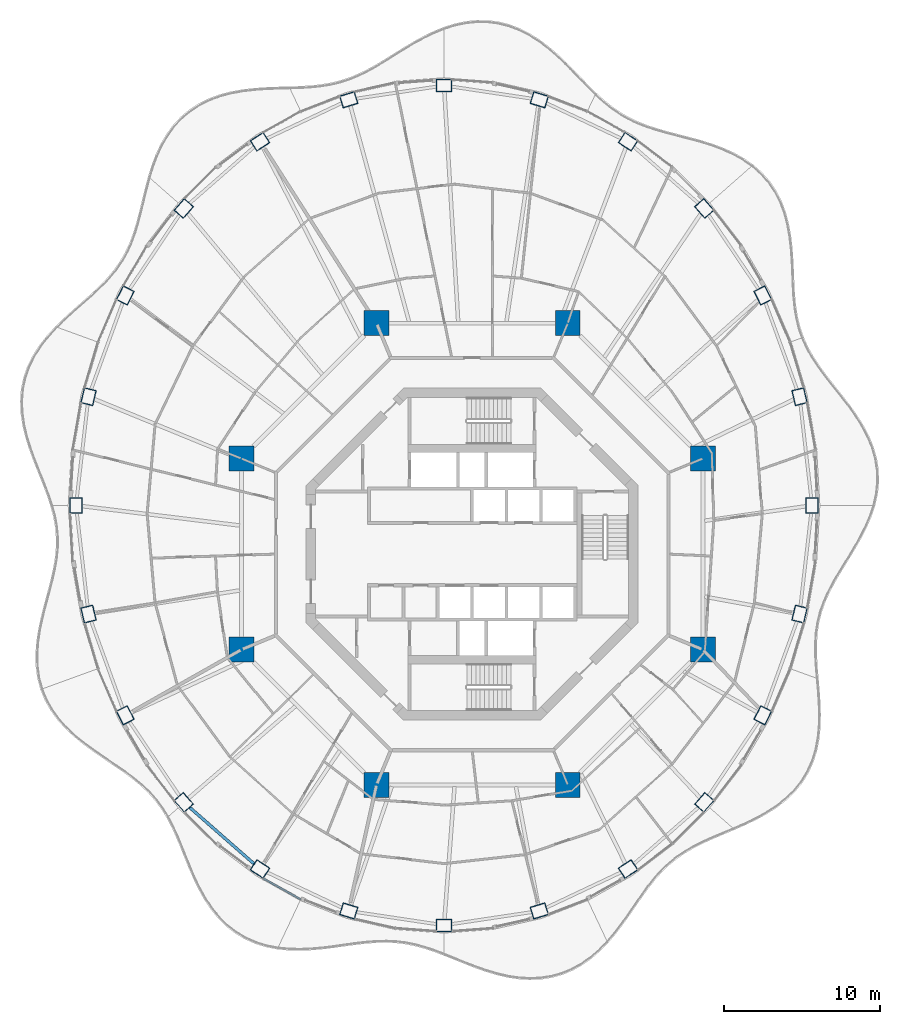
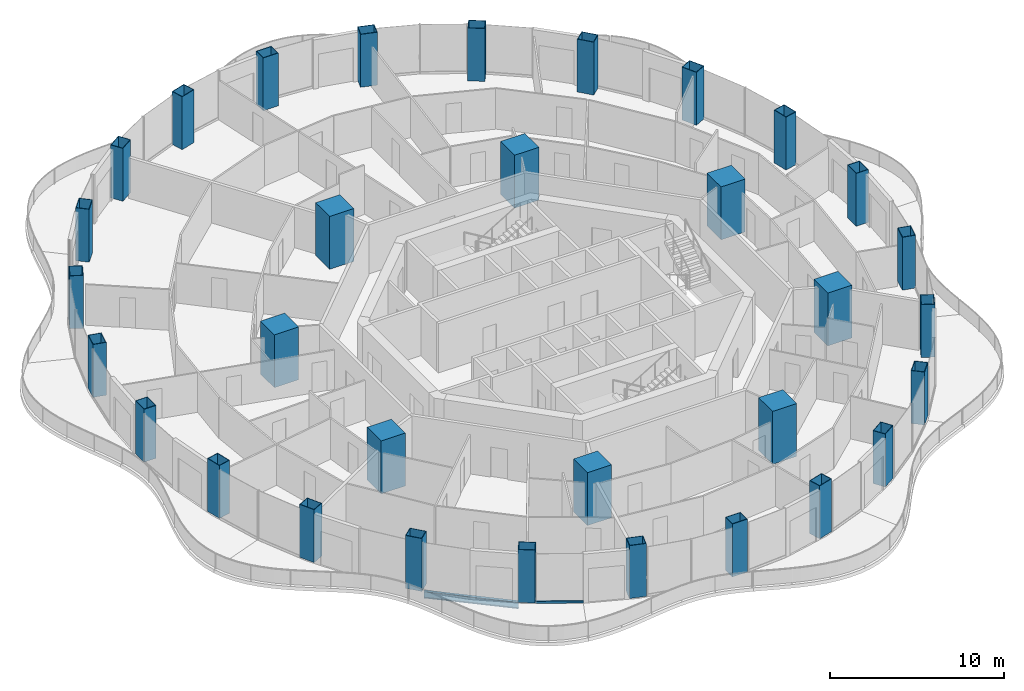
# One storey, part 1 of 18: 32 columns, 1 beam, 1 member, 1 element without a shape of its own.
"""IFC4 building model written with IfcOpenShell, lengths in metres."""

from ifc_helpers import new_model, si_unit, direction, frame, origin, origin_2d, place, context, subcontext, project, spatial, rectangle, hollow_rectangle, i_section, extrude, material, layer, layer_set, material_profile, profile_set, type_object, element, aggregate, save


model = new_model("IFC4")

# Units and contexts
model_context = context("Model", 3, precision=1e-05, world=origin(), true_north=direction((0.0, 1.0)))
body_context = subcontext(model_context, "Body", "Model", "MODEL_VIEW")
ifc_project = project(units=[si_unit("LENGTHUNIT", "METRE"), si_unit("AREAUNIT", "SQUARE_METRE"), si_unit("VOLUMEUNIT", "CUBIC_METRE"), si_unit("PLANEANGLEUNIT", "RADIAN"), si_unit("MASSUNIT", "GRAM", prefix="KILO")], contexts=[model_context])

# Site, building, storey
site_placement = place(None, origin())
site = spatial("IfcSite", under=ifc_project, at=site_placement, CompositionType="ELEMENT")
building_placement = place(site_placement, origin())
building = spatial("IfcBuilding", under=site, at=building_placement, Name="Nagisa Residences", CompositionType="ELEMENT")
storey_placement = place(building_placement, frame((0.0, 0.0, 238.10009765625)))
storey = spatial("IfcBuildingStorey", under=building, at=storey_placement, Name="L60", CompositionType="ELEMENT", Elevation=238.10009765625)

# Columns
ifc_material_1 = material(Name="Concrete C80", Category="concrete")
ifc_material_profile_1 = material_profile(ifc_material_1, rectangle(XDim=1.60009765625, YDim=1.60009765625, at=origin_2d()), Name="C80 1600x1600")
ifc_profile_set_1 = profile_set([ifc_material_profile_1], Name="Concrete C80")
column_type_1 = type_object("IfcColumnType", Name="Inner megacolumn C80 1600x1600", PredefinedType="COLUMN", material=ifc_profile_set_1)
for number, where, z_axis, x_axis, name in (
    (1, (14.781982421875, 6.123046875, 0.0), (0.0, 0.0, 1.0), (1.0, 0.0, 0.0), "col:L60:i1"),
    (2, (6.123046875, 14.781982421875, 0.0), (0.0, 0.0, 1.0), (1.0, 0.0, 0.0), "col:L60:i2"),
    (3, (-6.123046875, 14.781982421875, 0.0), (0.0, 0.0, 1.0), (1.0, 0.0, 0.0), "col:L60:i3"),
    (4, (-14.781982421875, 6.123046875, 0.0), (0.0, 0.0, 1.0), (1.0, 0.0, 0.0), "col:L60:i4"),
    (5, (-14.781982421875, -6.123046875, 0.0), (0.0, 0.0, 1.0), (1.0, 0.0, 0.0), "col:L60:i5"),
    (6, (-6.123046875, -14.781982421875, 0.0), (0.0, 0.0, 1.0), (1.0, 0.0, 0.0), "col:L60:i6"),
    (7, (6.123046875, -14.781982421875, 0.0), (0.0, 0.0, 1.0), (1.0, 0.0, 0.0), "col:L60:i7"),
    (8, (14.781982421875, -6.123046875, 0.0), (0.0, 0.0, 1.0), (1.0, 0.0, 0.0), "col:L60:i8"),
):
    element("IfcColumn", number, at=place(storey_placement, frame(where, z_axis=z_axis, x_axis=x_axis)), inside=storey, type_object=column_type_1, Name=name, PredefinedType="COLUMN", context=body_context, shape_type="SweptSolid", body=[
        extrude(rectangle(XDim=1.60009765625, YDim=1.60009765625, at=origin_2d()), origin(), (0.0, 0.0, 1.0), 3.699951171875),
    ])
ifc_material_2 = material(Name="Steel ASTM A572 Gr 50", Category="steel")
ifc_material_profile_2 = material_profile(ifc_material_2, hollow_rectangle(XDim=1.0, YDim=0.800048828125, WallThickness=0.031982421875, at=origin_2d()), Name="BX 1000x800x32")
ifc_profile_set_2 = profile_set([ifc_material_profile_2], Name="Steel ASTM A572 Gr 50")
column_type_2 = type_object("IfcColumnType", Name="Perimeter column BX 1000x800x32", PredefinedType="COLUMN", material=ifc_profile_set_2)
for number, where, z_axis, x_axis, name in (
    (9, (21.77001953125, 3.11767578125, 0.0), (0.0, 0.0, 1.0), (0.0, 1.0, 0.0), "col:L60:p00"),
    (10, (20.966796875, 10.077392578125, 0.0), (0.0, 0.0, 1.0), (-0.229202013103, 0.973378876486, 0.0), "col:L60:p01"),
    (11, (18.6123046875, 16.562744140625, 0.0), (0.0, 0.0, 1.0), (-0.452462697578, 0.891783329795, 0.0), "col:L60:p02"),
    (12, (14.866455078125, 22.1318359375, 0.0), (0.0, 0.0, 1.0), (-0.660114607735, 0.751164898445, 0.0), "col:L60:p03"),
    (13, (9.985107421875, 26.405029296875, 0.0), (0.0, 0.0, 1.0), (-0.835766105673, 0.54908561865, 0.0), "col:L60:p04"),
    (14, (4.30029296875, 29.091552734375, 0.0), (0.0, 0.0, 1.0), (-0.956524583408, 0.291651712384, 0.0), "col:L60:p05"),
    (15, (-1.800048828125, 30.0078125, 0.0), (0.0, 0.0, 1.0), (-1.0, 0.0, 0.0), "col:L60:p06"),
    (16, (-7.900390625, 29.091552734375, 0.0), (0.0, 0.0, 1.0), (-0.956524583408, -0.291651712384, 0.0), "col:L60:p07"),
    (17, (-13.5849609375, 26.405029296875, 0.0), (0.0, 0.0, 1.0), (-0.835766105673, -0.54908561865, 0.0), "col:L60:p08"),
    (18, (-18.466552734375, 22.1318359375, 0.0), (0.0, 0.0, 1.0), (-0.660114607735, -0.751164898445, 0.0), "col:L60:p09"),
    (19, (-22.212158203125, 16.562744140625, 0.0), (0.0, 0.0, 1.0), (-0.452462697578, -0.891783329795, 0.0), "col:L60:p10"),
    (20, (-24.56689453125, 10.077392578125, 0.0), (0.0, 0.0, 1.0), (-0.229202013103, -0.973378876486, 0.0), "col:L60:p11"),
    (21, (-25.3701171875, 3.11767578125, 0.0), (0.0, 0.0, 1.0), (0.0, -1.0, 0.0), "col:L60:p12"),
    (22, (-24.56689453125, -3.842041015625, 0.0), (0.0, 0.0, 1.0), (0.229202013103, -0.973378876486, 0.0), "col:L60:p13"),
    (23, (-22.212158203125, -10.327392578125, 0.0), (0.0, 0.0, 1.0), (0.452462697578, -0.891783329795, 0.0), "col:L60:p14"),
    (24, (-18.466552734375, -15.896484375, 0.0), (0.0, 0.0, 1.0), (0.660114607735, -0.751164898445, 0.0), "col:L60:p15"),
    (25, (-13.5849609375, -20.169677734375, 0.0), (0.0, 0.0, 1.0), (0.835766105673, -0.54908561865, 0.0), "col:L60:p16"),
    (26, (-7.900390625, -22.85595703125, 0.0), (0.0, 0.0, 1.0), (0.956524583408, -0.291651712384, 0.0), "col:L60:p17"),
    (27, (-1.800048828125, -23.772216796875, 0.0), (0.0, 0.0, 1.0), (1.0, 0.0, 0.0), "col:L60:p18"),
    (28, (4.30029296875, -22.85595703125, 0.0), (0.0, 0.0, 1.0), (0.956524583408, 0.291651712384, 0.0), "col:L60:p19"),
    (29, (9.985107421875, -20.169677734375, 0.0), (0.0, 0.0, 1.0), (0.835766105673, 0.54908561865, 0.0), "col:L60:p20"),
    (30, (14.866455078125, -15.896484375, 0.0), (0.0, 0.0, 1.0), (0.660114607735, 0.751164898445, 0.0), "col:L60:p21"),
    (31, (18.6123046875, -10.327392578125, 0.0), (0.0, 0.0, 1.0), (0.452462697578, 0.891783329795, 0.0), "col:L60:p22"),
    (32, (20.966796875, -3.842041015625, 0.0), (0.0, 0.0, 1.0), (0.229202013103, 0.973378876486, 0.0), "col:L60:p23"),
):
    element("IfcColumn", number, at=place(storey_placement, frame(where, z_axis=z_axis, x_axis=x_axis)), inside=storey, type_object=column_type_2, Name=name, PredefinedType="COLUMN", context=body_context, shape_type="SweptSolid", body=[
        extrude(hollow_rectangle(XDim=1.0, YDim=0.800048828125, WallThickness=0.031982421875, at=origin_2d()), origin(), (0.0, 0.0, 1.0), 3.699951171875),
    ])

# Curtain wall, member
ifc_material_3 = material(Name="Concrete-coloured aluminium curtain wall system", Category="concrete")
ifc_layer = layer(ifc_material_3, 0.159912109375)
ifc_layer_set = layer_set([ifc_layer], Name="CW1 CURTAIN WALL")
curtain_wall_type = type_object("IfcCurtainWallType", Name="CW1 CURTAIN WALL", PredefinedType="NOTDEFINED", material=ifc_layer_set)
curtain_wall_placement = place(storey_placement, origin())
curtain_wall = element("IfcCurtainWall", 33, at=curtain_wall_placement, inside=storey, type_object=curtain_wall_type, Name="cw:CW1:L60:32", PredefinedType="NOTDEFINED")
ifc_material_4 = material(Name="Concrete-coloured aluminium", Category="concrete")
ifc_material_profile_3 = material_profile(ifc_material_4, rectangle(XDim=0.1201171875, YDim=0.14990234375, at=origin_2d()), Name="CW1 TRANSOM 120x150")
ifc_profile_set_3 = profile_set([ifc_material_profile_3], Name="Concrete-coloured aluminium")
member_type = type_object("IfcMemberType", Name="CW1 TRANSOM 120x150", PredefinedType="USERDEFINED", material=ifc_profile_set_3)
member_placement = place(storey_placement, frame((-13.35986328125, -20.777587890625, 0.074951171875), z_axis=(0.872063230277, -0.489393218586, 0.0), x_axis=(0.489393218586, 0.872063230277, 0.0)))
member = element("IfcMember", 34, at=member_placement, type_object=member_type, Name="CW1 transom", ObjectType="TRANSOM", PredefinedType="USERDEFINED", context=body_context, shape_type="SweptSolid", body=[
    extrude(rectangle(XDim=0.1201171875, YDim=0.14990234375, at=origin_2d()), origin(), (0.0, 0.0, 1.0), 2.73828125),
])
aggregate(curtain_wall, [member])

# Beam
ifc_material_5 = material(Name="Steel ASTM A572 Gr 50", Category="steel")
ifc_material_profile_4 = material_profile(ifc_material_5, i_section(OverallWidth=0.18994140625, OverallDepth=0.45703125, WebThickness=0.009033203125, FlangeThickness=0.014404296875, at=origin_2d()), Name="W460x74")
ifc_profile_set_4 = profile_set([ifc_material_profile_4], Name="Steel ASTM A572 Gr 50")
beam_type = type_object("IfcBeamType", Name="Perimeter ring beam W460x74", PredefinedType="BEAM", material=ifc_profile_set_4)
beam_placement = place(storey_placement, frame((-18.10205078125, -16.21533203125, -0.488525390625), z_axis=(0.75242320672, -0.65867998147, 0.0), x_axis=(0.65867998147, 0.75242320672, 0.0)))
element("IfcBeam", 35, at=beam_placement, inside=storey, type_object=beam_type, Name="beam:L60:pb16", PredefinedType="BEAM", context=body_context, shape_type="SweptSolid", body=[
    extrude(i_section(OverallWidth=0.18994140625, OverallDepth=0.45703125, WebThickness=0.009033203125, FlangeThickness=0.014404296875, at=origin_2d()), origin(), (0.0, 0.0, 1.0), 5.5185546875),
])

save(model, "model.ifc")
